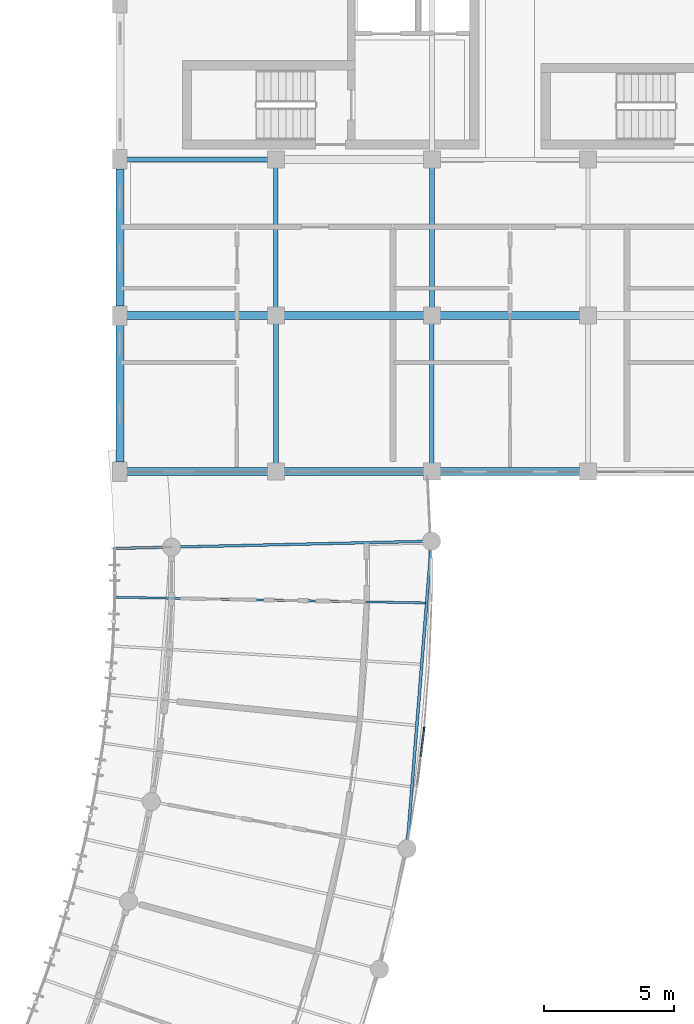
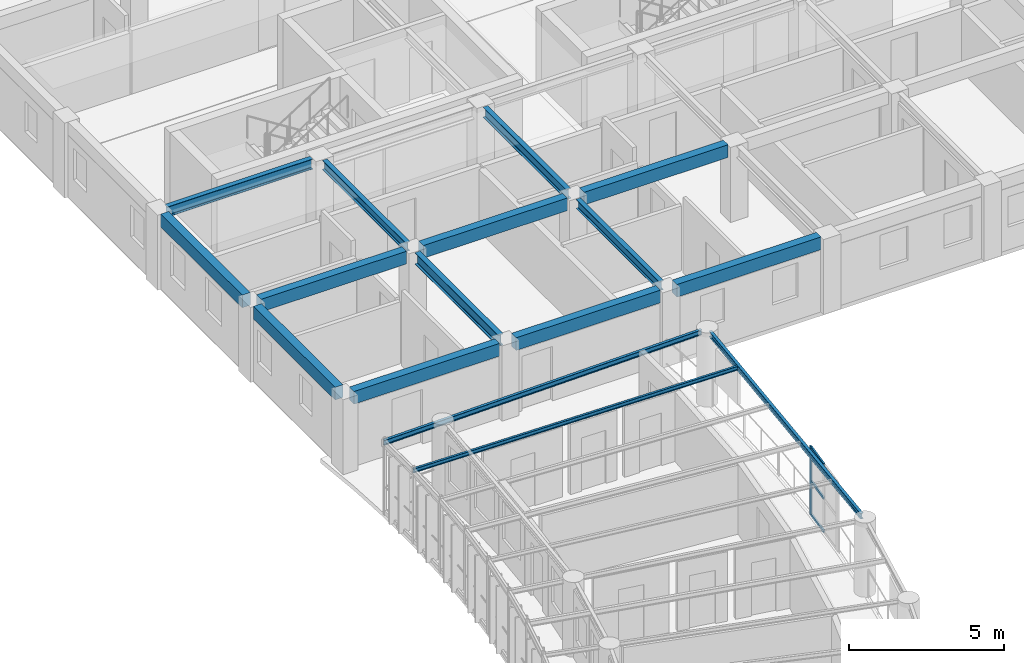
# One storey, part 23 of 100: 16 beams, 4 members, 1 element without a shape of its own.
"""IFC4 building model written with IfcOpenShell, lengths in metres."""

from ifc_helpers import new_model, si_unit, direction, frame, origin, origin_2d, place, context, subcontext, project, spatial, rectangle, i_section, extrude, material, layer, layer_set, material_profile, profile_set, type_object, element, aggregate, save


model = new_model("IFC4")

# Units and contexts
model_context = context("Model", 3, precision=1e-05, world=origin(), true_north=direction((0.0, 1.0)))
body_context = subcontext(model_context, "Body", "Model", "MODEL_VIEW")
ifc_project = project(units=[si_unit("LENGTHUNIT", "METRE"), si_unit("AREAUNIT", "SQUARE_METRE"), si_unit("VOLUMEUNIT", "CUBIC_METRE"), si_unit("PLANEANGLEUNIT", "RADIAN"), si_unit("MASSUNIT", "GRAM", prefix="KILO"), si_unit("POWERUNIT", "WATT"), si_unit("THERMODYNAMICTEMPERATUREUNIT", "KELVIN")], contexts=[model_context])

# Site, building, storey
site_placement = place(None, origin())
site = spatial("IfcSite", under=ifc_project, at=site_placement, CompositionType="ELEMENT")
building_placement = place(site_placement, origin())
building = spatial("IfcBuilding", under=site, at=building_placement, Name="Ruvembo Vaulted Housing Court", CompositionType="ELEMENT")
storey_placement = place(building_placement, frame((0.0, 0.0, 10.89990234375)))
storey = spatial("IfcBuildingStorey", under=building, at=storey_placement, Name="L03", CompositionType="ELEMENT", Elevation=10.89990234375)

# Beams
ifc_material_1 = material(Name="Steel S355J2", Category="steel")
ifc_material_profile_1 = material_profile(ifc_material_1, i_section(OverallWidth=0.08203125, OverallDepth=0.159912109375, WebThickness=0.0048828125, FlangeThickness=0.00732421875, FilletRadius=0.009033203125, at=origin_2d()), Name="IPE 160")
ifc_profile_set_1 = profile_set([ifc_material_profile_1], Name="Steel S355J2")
beam_type_1 = type_object("IfcBeamType", Name="BM-ST-IPE160", PredefinedType="JOIST", material=ifc_profile_set_1)
beam_1_placement = place(storey_placement, frame((59.74560546875, 72.9482421875, 2.860107421875), z_axis=(-0.999834442166, 0.018195830781, 0.0), x_axis=(-0.018195830781, -0.999834442166, 0.0)))
element("IfcBeam", 1, at=beam_1_placement, inside=storey, type_object=beam_type_1, Name="Scoop SC1 L03 Radial Steel Joist 18", PredefinedType="JOIST", context=body_context, shape_type="SweptSolid", body=[
    extrude(i_section(OverallWidth=0.08203125, OverallDepth=0.159912109375, WebThickness=0.0048828125, FlangeThickness=0.00732421875, FilletRadius=0.009033203125, at=origin_2d()), origin(), (0.0, 0.0, 1.0), 11.9951171875),
])
ifc_material_profile_2 = material_profile(ifc_material_1, i_section(OverallWidth=0.10009765625, OverallDepth=0.199951171875, WebThickness=0.005615234375, FlangeThickness=0.008544921875, FilletRadius=0.011962890625, at=origin_2d()), Name="IPE 200")
ifc_profile_set_2 = profile_set([ifc_material_profile_2], Name="Steel S355J2")
beam_type_2 = type_object("IfcBeamType", Name="BM-ST-IPE200", PredefinedType="BEAM", material=ifc_profile_set_2)
beam_2_placement = place(storey_placement, frame((59.755126953125, 75.315185546875, 2.840087890625), z_axis=(-0.999740795547, -0.022767119233, 0.0), x_axis=(0.022767119233, -0.999740795547, 0.0)))
element("IfcBeam", 2, at=beam_2_placement, inside=storey, type_object=beam_type_2, Name="Scoop SC1 L03 Radial Steel Joist 19", PredefinedType="BEAM", context=body_context, shape_type="SweptSolid", body=[
    extrude(i_section(OverallWidth=0.10009765625, OverallDepth=0.199951171875, WebThickness=0.005615234375, FlangeThickness=0.008544921875, FilletRadius=0.011962890625, at=origin_2d()), origin(), (0.0, 0.0, 1.0), 12.01025390625),
])
ifc_material_profile_3 = material_profile(ifc_material_1, i_section(OverallWidth=0.110107421875, OverallDepth=0.219970703125, WebThickness=0.005859375, FlangeThickness=0.00927734375, FilletRadius=0.011962890625, at=origin_2d()), Name="IPE 220")
ifc_profile_set_3 = profile_set([ifc_material_profile_3], Name="Steel S355J2")
beam_type_3 = type_object("IfcBeamType", Name="BM-ST-IPE220", PredefinedType="SPANDREL", material=ifc_profile_set_3)
beam_3_placement = place(storey_placement, frame((59.05908203125, 63.724609375, 2.83203125), z_axis=(0.079605659313, 0.996826433741, 0.0), x_axis=(-0.996826433741, 0.079605659313, 0.0)))
element("IfcBeam", 3, at=beam_3_placement, inside=storey, type_object=beam_type_3, Name="Scoop SC1 L03 Chord Girder B14", PredefinedType="SPANDREL", context=body_context, shape_type="SweptSolid", body=[
    extrude(i_section(OverallWidth=0.110107421875, OverallDepth=0.219970703125, WebThickness=0.005859375, FlangeThickness=0.00927734375, FilletRadius=0.011962890625, at=origin_2d()), origin(), (0.0, 0.0, 1.0), 11.402587890625),
])
ifc_material_profile_4 = material_profile(ifc_material_1, i_section(OverallWidth=0.169921875, OverallDepth=0.360107421875, WebThickness=0.008056640625, FlangeThickness=0.0126953125, FilletRadius=0.01806640625, at=origin_2d()), Name="IPE 360")
ifc_profile_set_4 = profile_set([ifc_material_profile_4], Name="Steel S355J2")
beam_type_4 = type_object("IfcBeamType", Name="BM-ST-IPE360", PredefinedType="BEAM", material=ifc_profile_set_4)
for number, where, z_axis, x_axis, name in (
    (4, (54.0, 84.31005859375, 2.74609375), (0.0, 1.0, 0.0), (-1.0, 0.0, 0.0), "L03 Grid Beam Y #1899"),
    (5, (60.0, 78.31005859375, 2.74609375), (0.0, 1.0, 0.0), (-1.0, 0.0, 0.0), "L03 Grid Beam Y #1902"),
):
    element("IfcBeam", number, at=place(storey_placement, frame(where, z_axis=z_axis, x_axis=x_axis)), inside=storey, type_object=beam_type_4, Name=name, PredefinedType="BEAM", context=body_context, shape_type="SweptSolid", body=[
        extrude(i_section(OverallWidth=0.169921875, OverallDepth=0.360107421875, WebThickness=0.008056640625, FlangeThickness=0.0126953125, FilletRadius=0.01806640625, at=origin_2d()), origin(), (0.0, 0.0, 1.0), 5.3798828125),
    ])
ifc_material_profile_5 = material_profile(ifc_material_1, i_section(OverallWidth=0.179931640625, OverallDepth=0.39990234375, WebThickness=0.008544921875, FlangeThickness=0.013427734375, FilletRadius=0.02099609375, at=origin_2d()), Name="IPE 400")
ifc_profile_set_5 = profile_set([ifc_material_profile_5], Name="Steel S355J2")
beam_type_5 = type_object("IfcBeamType", Name="BM-ST-IPE400", PredefinedType="BEAM", material=ifc_profile_set_5)
beam_4_placement = place(storey_placement, frame((48.260009765625, 90.0, 2.72607421875), z_axis=(1.0, 0.0, 0.0), x_axis=(0.0, 1.0, 0.0)))
element("IfcBeam", 6, at=beam_4_placement, inside=storey, type_object=beam_type_5, Name="L03 Grid Beam X #1813", PredefinedType="BEAM", context=body_context, shape_type="SweptSolid", body=[
    extrude(i_section(OverallWidth=0.179931640625, OverallDepth=0.39990234375, WebThickness=0.008544921875, FlangeThickness=0.013427734375, FilletRadius=0.02099609375, at=origin_2d()), origin(), (0.0, 0.0, 1.0), 5.429931640625),
])
beam_5_placement = place(storey_placement, frame((60.0, 84.31005859375, 2.72607421875), z_axis=(0.0, 1.0, 0.0), x_axis=(-1.0, 0.0, 0.0)))
element("IfcBeam", 7, at=beam_5_placement, inside=storey, type_object=beam_type_5, Name="L03 Grid Beam Y #1903", PredefinedType="BEAM", context=body_context, shape_type="SweptSolid", body=[
    extrude(i_section(OverallWidth=0.179931640625, OverallDepth=0.39990234375, WebThickness=0.008544921875, FlangeThickness=0.013427734375, FilletRadius=0.02099609375, at=origin_2d()), origin(), (0.0, 0.0, 1.0), 5.3798828125),
])
ifc_material_profile_6 = material_profile(ifc_material_1, i_section(OverallWidth=0.18994140625, OverallDepth=0.449951171875, WebThickness=0.009521484375, FlangeThickness=0.0146484375, FilletRadius=0.02099609375, at=origin_2d()), Name="IPE 450")
ifc_profile_set_6 = profile_set([ifc_material_profile_6], Name="Steel S355J2")
beam_type_6 = type_object("IfcBeamType", Name="BM-ST-IPE450", PredefinedType="BEAM", material=ifc_profile_set_6)
beam_6_placement = place(storey_placement, frame((54.0, 78.31005859375, 2.701171875), z_axis=(0.0, 1.0, 0.0), x_axis=(-1.0, 0.0, 0.0)))
element("IfcBeam", 8, at=beam_6_placement, inside=storey, type_object=beam_type_6, Name="L03 Grid Beam Y #1898", PredefinedType="BEAM", context=body_context, shape_type="SweptSolid", body=[
    extrude(i_section(OverallWidth=0.18994140625, OverallDepth=0.449951171875, WebThickness=0.009521484375, FlangeThickness=0.0146484375, FilletRadius=0.02099609375, at=origin_2d()), origin(), (0.0, 0.0, 1.0), 5.3798828125),
])

# Curtain wall, members
ifc_material_2 = material(Name="Anodised Aluminium and Solar-Control Glass", Category="aluminium")
ifc_layer = layer(ifc_material_2, 0.1201171875, Name="Anodised Aluminium and Solar-Control Glass")
ifc_layer_set = layer_set([ifc_layer], Name="Anodised Aluminium and Solar-Control Glass")
curtain_wall_type = type_object("IfcCurtainWallType", Name="CW-SCOOP-GAL", PredefinedType="NOTDEFINED", material=ifc_layer_set)
curtain_wall_placement = place(storey_placement, origin())
curtain_wall = element("IfcCurtainWall", 9, at=curtain_wall_placement, inside=storey, type_object=curtain_wall_type, Name="L03 Curtain Wall CW-L03-0020", PredefinedType="NOTDEFINED")
ifc_material_3 = material(Name="Anodised Aluminium 6063-T6", Category="aluminium")
ifc_material_profile_7 = material_profile(ifc_material_3, rectangle(XDim=0.06005859375, YDim=0.139892578125, at=origin_2d()), Name="ALU 60x140")
ifc_profile_set_7 = profile_set([ifc_material_profile_7], Name="Anodised Aluminium 6063-T6")
member_type_1 = type_object("IfcMemberType", Name="CW-MUL-60x140", PredefinedType="MULLION", material=ifc_profile_set_7)
member_1_placement = place(storey_placement, frame((59.69970703125, 68.12060546875, 0.0), z_axis=(0.0, 0.0, 1.0), x_axis=(-0.992725352187, 0.12040089337, 0.0)))
member_1 = element("IfcMember", 10, at=member_1_placement, type_object=member_type_1, Name="CW6 mullion 3", PredefinedType="MULLION", context=body_context, shape_type="SweptSolid", body=[
    extrude(rectangle(XDim=0.06005859375, YDim=0.139892578125, at=origin_2d()), origin(), (0.0, 0.0, 1.0), 2.697998046875),
])
ifc_material_profile_8 = material_profile(ifc_material_3, rectangle(XDim=0.06005859375, YDim=0.10009765625, at=origin_2d()), Name="ALU 60x100")
ifc_profile_set_8 = profile_set([ifc_material_profile_8], Name="Anodised Aluminium 6063-T6")
member_type_2 = type_object("IfcMemberType", Name="CW-TRN-60x100", PredefinedType="USERDEFINED", material=ifc_profile_set_8)
member_2_placement = place(storey_placement, frame((59.56982421875, 67.05029296875, 0.030029296875), z_axis=(0.120421796404, 0.992722816778, 0.0), x_axis=(-0.992722816778, 0.120421796404, 0.0)))
member_2 = element("IfcMember", 11, at=member_2_placement, type_object=member_type_2, Name="CW6 transom 2.1", ObjectType="TRANSOM", PredefinedType="USERDEFINED", context=body_context, shape_type="SweptSolid", body=[
    extrude(rectangle(XDim=0.06005859375, YDim=0.10009765625, at=origin_2d()), origin(), (0.0, 0.0, 1.0), 1.048095703125),
])
member_3_placement = place(storey_placement, frame((59.56982421875, 67.05029296875, 1.34912109375), z_axis=(0.120421796404, 0.992722816778, 0.0), x_axis=(-0.992722816778, 0.120421796404, 0.0)))
member_3 = element("IfcMember", 12, at=member_3_placement, type_object=member_type_2, Name="CW6 transom 2.2", ObjectType="TRANSOM", PredefinedType="USERDEFINED", context=body_context, shape_type="SweptSolid", body=[
    extrude(rectangle(XDim=0.06005859375, YDim=0.10009765625, at=origin_2d()), origin(), (0.0, 0.0, 1.0), 1.048095703125),
])
member_4_placement = place(storey_placement, frame((59.56982421875, 67.05029296875, 2.668212890625), z_axis=(0.120421796404, 0.992722816778, 0.0), x_axis=(-0.992722816778, 0.120421796404, 0.0)))
member_4 = element("IfcMember", 13, at=member_4_placement, type_object=member_type_2, Name="CW6 transom 2.3", ObjectType="TRANSOM", PredefinedType="USERDEFINED", context=body_context, shape_type="SweptSolid", body=[
    extrude(rectangle(XDim=0.06005859375, YDim=0.10009765625, at=origin_2d()), origin(), (0.0, 0.0, 1.0), 1.048095703125),
])
aggregate(curtain_wall, [member_1, member_2, member_3, member_4])

# Beams
ifc_material_4 = material(Name="Concrete C35/45", Category="concrete")
ifc_material_profile_9 = material_profile(ifc_material_4, rectangle(XDim=0.300048828125, YDim=0.5, at=origin_2d()), Name="RC 300x500")
ifc_profile_set_9 = profile_set([ifc_material_profile_9], Name="Concrete C35/45")
beam_type_7 = type_object("IfcBeamType", Name="SP-RC-300x500", PredefinedType="SPANDREL", material=ifc_profile_set_9)
beam_7_placement = place(storey_placement, frame((48.260009765625, 78.0, 2.710205078125), z_axis=(1.0, 0.0, 0.0), x_axis=(0.0, 1.0, 0.0)))
element("IfcBeam", 14, at=beam_7_placement, inside=storey, type_object=beam_type_7, Name="L03 Grid Beam X #1789", PredefinedType="SPANDREL", context=body_context, shape_type="SweptSolid", body=[
    extrude(rectangle(XDim=0.300048828125, YDim=0.5, at=origin_2d()), origin(), (0.0, 0.0, 1.0), 5.429931640625),
])
for number, where, z_axis, x_axis, name in (
    (15, (54.31005859375, 78.0, 2.710205078125), (1.0, 0.0, 0.0), (0.0, 1.0, 0.0), "L03 Grid Beam X #1790"),
    (16, (60.31005859375, 78.0, 2.710205078125), (1.0, 0.0, 0.0), (0.0, 1.0, 0.0), "L03 Grid Beam X #1791"),
):
    element("IfcBeam", number, at=place(storey_placement, frame(where, z_axis=z_axis, x_axis=x_axis)), inside=storey, type_object=beam_type_7, Name=name, PredefinedType="SPANDREL", context=body_context, shape_type="SweptSolid", body=[
        extrude(rectangle(XDim=0.300048828125, YDim=0.5, at=origin_2d()), origin(), (0.0, 0.0, 1.0), 5.3798828125),
    ])
beam_8_placement = place(storey_placement, frame((48.260009765625, 84.0, 2.710205078125), z_axis=(1.0, 0.0, 0.0), x_axis=(0.0, 1.0, 0.0)))
element("IfcBeam", 17, at=beam_8_placement, inside=storey, type_object=beam_type_7, Name="L03 Grid Beam X #1801", PredefinedType="SPANDREL", context=body_context, shape_type="SweptSolid", body=[
    extrude(rectangle(XDim=0.300048828125, YDim=0.5, at=origin_2d()), origin(), (0.0, 0.0, 1.0), 5.429931640625),
])
for number, where, z_axis, x_axis, name in (
    (18, (54.31005859375, 84.0, 2.710205078125), (1.0, 0.0, 0.0), (0.0, 1.0, 0.0), "L03 Grid Beam X #1802"),
    (19, (60.31005859375, 84.0, 2.710205078125), (1.0, 0.0, 0.0), (0.0, 1.0, 0.0), "L03 Grid Beam X #1803"),
):
    element("IfcBeam", number, at=place(storey_placement, frame(where, z_axis=z_axis, x_axis=x_axis)), inside=storey, type_object=beam_type_7, Name=name, PredefinedType="SPANDREL", context=body_context, shape_type="SweptSolid", body=[
        extrude(rectangle(XDim=0.300048828125, YDim=0.5, at=origin_2d()), origin(), (0.0, 0.0, 1.0), 5.3798828125),
    ])
for number, where, z_axis, x_axis, name in (
    (20, (48.0, 78.360107421875, 2.710205078125), (0.0, 1.0, 0.0), (-1.0, 0.0, 0.0), "L03 Grid Beam Y #1892"),
    (21, (48.0, 84.360107421875, 2.710205078125), (0.0, 1.0, 0.0), (-1.0, 0.0, 0.0), "L03 Grid Beam Y #1893"),
):
    element("IfcBeam", number, at=place(storey_placement, frame(where, z_axis=z_axis, x_axis=x_axis)), inside=storey, type_object=beam_type_7, Name=name, PredefinedType="SPANDREL", context=body_context, shape_type="SweptSolid", body=[
        extrude(rectangle(XDim=0.300048828125, YDim=0.5, at=origin_2d()), origin(), (0.0, 0.0, 1.0), 5.27978515625),
    ])

save(model, "model.ifc")
